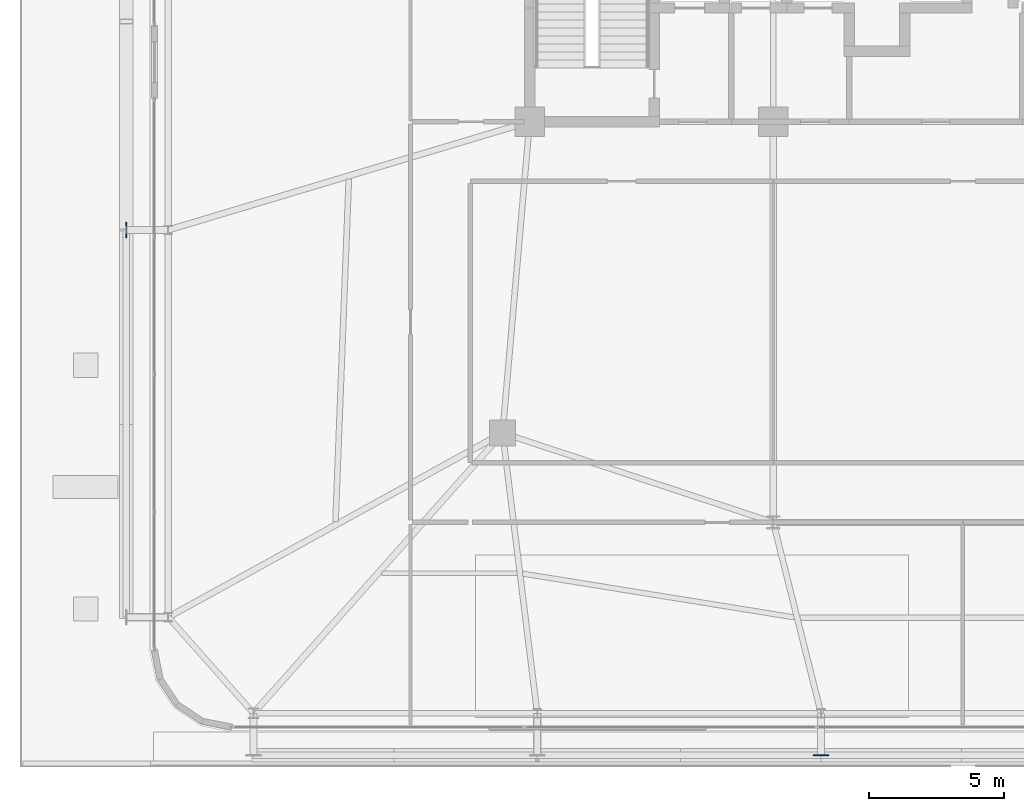
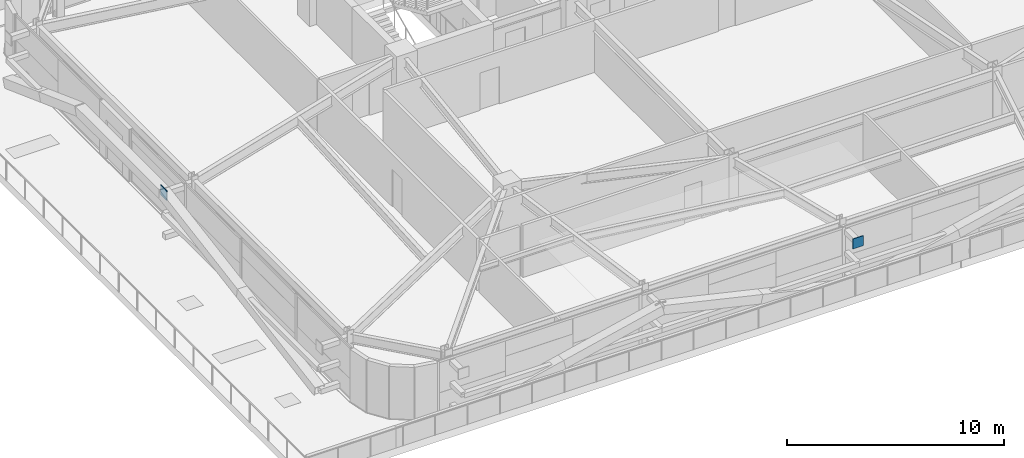
# One storey, part 42 of 56: 2 plates.
"""IFC4 building model written with IfcOpenShell, lengths in metres."""

import ifcopenshell
import ifcopenshell.guid

model = None  # the IFC model being written
_history = None  # IfcOwnerHistory: only IFC2X3 demands one
_inside = {}  # id of a spatial element -> (the spatial element, [elements in it])
_under = {}  # id of a project, library or spatial element -> (it, [spatial elements below it])
_declared = {}  # id of a project -> (the project, [libraries it declares])
_typed = {}  # id of a type object -> (the type object, [elements of that type])
_made_of = {}  # id of a material, layer set ... -> (it, [elements and type objects made of it])


def new_model(schema):
    """Start an empty IFC model of exactly this schema.

    Asked for "IFC4X3", IfcOpenShell would pick the latest addendum, in which some entities
    have other attributes; the version numbers below select the first issue.
    IFC2X3 requires an IfcOwnerHistory on every rooted entity: one is made here for all.
    """
    global model, _history
    if schema == "IFC4X3":
        model = ifcopenshell.file(schema_version=(4, 3, 0, 0))
    else:
        model = ifcopenshell.file(schema=schema)
    _inside.clear()
    _under.clear()
    _declared.clear()
    _typed.clear()
    _made_of.clear()
    _history = None
    if model.schema == "IFC2X3":
        org = make("IfcOrganization", Name="unknown")
        user = make(
            "IfcPersonAndOrganization",
            ThePerson=make("IfcPerson", FamilyName="unknown"),
            TheOrganization=org,
        )
        app = make(
            "IfcApplication",
            ApplicationDeveloper=org,
            Version="unknown",
            ApplicationFullName="unknown",
            ApplicationIdentifier="unknown",
        )
        _history = make(
            "IfcOwnerHistory",
            OwningUser=user,
            OwningApplication=app,
            ChangeAction="ADDED",
            CreationDate=0,
        )
    return model


def make(cls, **values):
    """One entity of the class cls with the attributes given. An attribute that is None is left unset."""
    return model.create_entity(
        cls, **{name: value for name, value in values.items() if value is not None}
    )


def rooted(cls, **values):
    """An entity with a GlobalId (a new one), such as an element, a storey or a relation."""
    return make(cls, GlobalId=ifcopenshell.guid.new(), OwnerHistory=_history, **values)


def si_unit(unit_type, name, prefix=None):
    """IfcSIUnit, for example si_unit("LENGTHUNIT", "METRE", prefix="MILLI")."""
    return make("IfcSIUnit", UnitType=unit_type, Prefix=prefix, Name=name)


def assignment(units):
    """IfcUnitAssignment: the units of a project."""
    return None if units is None else make("IfcUnitAssignment", Units=units)


def point(xyz):
    """IfcCartesianPoint."""
    return None if xyz is None else make("IfcCartesianPoint", Coordinates=xyz)


def direction(xyz):
    """IfcDirection."""
    return None if xyz is None else make("IfcDirection", DirectionRatios=xyz)


def frame(location, z_axis=None, x_axis=None):
    """IfcAxis2Placement3D, a coordinate frame: its origin and axes. An axis left out is left unset."""
    return make(
        "IfcAxis2Placement3D",
        Location=point(location),
        Axis=direction(z_axis),
        RefDirection=direction(x_axis),
    )


def frame_2d(location, x_axis=None):
    """IfcAxis2Placement2D, a coordinate frame in the plane: its origin and x axis."""
    return make(
        "IfcAxis2Placement2D", Location=point(location), RefDirection=direction(x_axis)
    )


def origin():
    """The frame at (0, 0, 0) with its axes left unset."""
    return frame((0.0, 0.0, 0.0))


def origin_2d():
    """The frame at (0, 0) in the plane with its x axis left unset."""
    return frame_2d((0.0, 0.0))


def place(relative_to, where):
    """IfcLocalPlacement: puts the frame where relative to a parent placement (None: the world)."""
    return make(
        "IfcLocalPlacement", PlacementRelTo=relative_to, RelativePlacement=where
    )


def context(
    kind, dimensions, precision=None, world=None, true_north=None, identifier=None
):
    """IfcGeometricRepresentationContext, for example the 3D "Model" context."""
    return make(
        "IfcGeometricRepresentationContext",
        ContextIdentifier=identifier,
        ContextType=kind,
        CoordinateSpaceDimension=dimensions,
        Precision=precision,
        WorldCoordinateSystem=world,
        TrueNorth=true_north,
    )


def subcontext(parent, identifier, kind, view, scale=None):
    """IfcGeometricRepresentationSubContext, for example "Body" below "Model"."""
    return make(
        "IfcGeometricRepresentationSubContext",
        ContextIdentifier=identifier,
        ContextType=kind,
        ParentContext=parent,
        TargetScale=scale,
        TargetView=view,
    )


def project(units=None, contexts=None):
    """IfcProject with its units and contexts."""
    return rooted(
        "IfcProject",
        Name="project",
        RepresentationContexts=contexts,
        UnitsInContext=assignment(units),
    )


def spatial(cls, under=None, at=None, **own):
    """A site, building, storey or space (cls), placed at a placement, below another one or the project."""
    s = rooted(cls, ObjectPlacement=at, **own)
    if under is not None:
        _under.setdefault(under.id(), (under, []))[1].append(s)
    return s


def profile(cls, at=None, kind="AREA", **sizes):
    """A parametric profile (cls). Its sizes go by their IFC names, for example OverallWidth=200.0."""
    return make(cls, ProfileType=kind, Position=at, **sizes)


def rectangle(**sizes):
    """IfcRectangleProfileDef."""
    return profile("IfcRectangleProfileDef", **sizes)


def extrude(swept, where, along, depth):
    """IfcExtrudedAreaSolid: the profile swept, set in the frame where, extruded along a direction by depth."""
    return make(
        "IfcExtrudedAreaSolid",
        SweptArea=swept,
        Position=where,
        ExtrudedDirection=direction(along),
        Depth=depth,
    )


def shape(context_of_items, identifier, shape_type, items):
    """IfcShapeRepresentation: the items that make up one representation, for example the "Body"."""
    return make(
        "IfcShapeRepresentation",
        ContextOfItems=context_of_items,
        RepresentationIdentifier=identifier,
        RepresentationType=shape_type,
        Items=items,
    )


def source(mapping_origin, context_of_items, identifier, shape_type, items):
    """IfcRepresentationMap: a shape defined once, which mapped items show again and again."""
    return make(
        "IfcRepresentationMap",
        MappingOrigin=mapping_origin,
        MappedRepresentation=shape(context_of_items, identifier, shape_type, items),
    )


def transform(
    local_origin,
    x_axis=None,
    y_axis=None,
    z_axis=None,
    scale=None,
    scale2=None,
    scale3=None,
    uniform=True,
):
    """IfcCartesianTransformationOperator3D, or its non-uniform kind. x_axis, y_axis, z_axis: its Axis1, 2, 3."""
    if uniform:
        return make(
            "IfcCartesianTransformationOperator3D",
            Axis1=direction(x_axis),
            Axis2=direction(y_axis),
            LocalOrigin=point(local_origin),
            Scale=scale,
            Axis3=direction(z_axis),
        )
    return make(
        "IfcCartesianTransformationOperator3DnonUniform",
        Axis1=direction(x_axis),
        Axis2=direction(y_axis),
        LocalOrigin=point(local_origin),
        Scale=scale,
        Axis3=direction(z_axis),
        Scale2=scale2,
        Scale3=scale3,
    )


def mapped(mapping_source, mapping_target):
    """IfcMappedItem: shows the shape of a source again, moved by a transform."""
    return make(
        "IfcMappedItem", MappingSource=mapping_source, MappingTarget=mapping_target
    )


def material(Name=None, Category=None):
    """IfcMaterial."""
    return make("IfcMaterial", Name=Name, Category=Category)


def layer(
    of_material, thickness, ventilated=None, Name=None, Category=None, Priority=None
):
    """IfcMaterialLayer: one layer of a wall or slab, of a material (None: an air gap)."""
    return make(
        "IfcMaterialLayer",
        Material=of_material,
        LayerThickness=thickness,
        IsVentilated=ventilated,
        Name=Name,
        Category=Category,
        Priority=Priority,
    )


def layer_set(layers, Name=None):
    """IfcMaterialLayerSet."""
    return make("IfcMaterialLayerSet", MaterialLayers=layers, LayerSetName=Name)


def made_of(thing, what):
    """Note that an element or type object is made of a material, layer set ...; save() writes the relation."""
    if what is not None:
        _made_of.setdefault(what.id(), (what, []))[1].append(thing)
    return thing


def type_object(cls, material=None, **own):
    """A type object (cls), such as IfcWallType, which elements share."""
    return made_of(rooted(cls, **own), material)


def element(
    cls,
    number,
    at=None,
    inside=None,
    cuts=None,
    type_object=None,
    material=None,
    context=None,
    identifier="Body",
    shape_type=None,
    held_by="IfcProductDefinitionShape",
    body=None,
    shapes=None,
    **own,
):
    """One element of the class cls, such as IfcWall. Its Tag is "e" and its number.

    at: its placement. inside: the storey or other place that contains it. cuts: it is an
    opening in that element (IfcRelVoidsElement). A single representation is given by context,
    identifier, shape_type and body (its items); several are given by shapes. held_by: the class
    of the entity that holds the representations. save() writes the other relations.
    """
    e = rooted(cls, Tag="e%d" % number, ObjectPlacement=at, **own)
    if body is not None:
        shapes = [shape(context, identifier, shape_type, body)]
    if shapes is not None:
        e.Representation = make(held_by, Representations=shapes)
    if inside is not None:
        _inside.setdefault(inside.id(), (inside, []))[1].append(e)
    if cuts is not None:
        rooted(
            "IfcRelVoidsElement", RelatingBuildingElement=cuts, RelatedOpeningElement=e
        )
    if type_object is not None:
        _typed.setdefault(type_object.id(), (type_object, []))[1].append(e)
    return made_of(e, material)


def aggregate(whole, parts):
    """IfcRelAggregates: a whole, such as a stair, and the parts it consists of."""
    return rooted("IfcRelAggregates", RelatingObject=whole, RelatedObjects=parts)


def save(model, path):
    """Write the relations noted so far, then the file.

    IfcRelAggregates (storeys below a building ...), IfcRelContainedInSpatialStructure (elements
    in a storey), IfcRelDefinesByType, IfcRelAssociatesMaterial and IfcRelDeclares: one each for
    every whole, place, type object, material and project.
    """
    for whole, parts in _under.values():
        aggregate(whole, parts)
    for where, things in _inside.values():
        rooted(
            "IfcRelContainedInSpatialStructure",
            RelatedElements=things,
            RelatingStructure=where,
        )
    for kind, things in _typed.values():
        rooted("IfcRelDefinesByType", RelatedObjects=things, RelatingType=kind)
    for what, things in _made_of.values():
        rooted("IfcRelAssociatesMaterial", RelatedObjects=things, RelatingMaterial=what)
    for by, libraries in _declared.values():
        rooted("IfcRelDeclares", RelatingContext=by, RelatedDefinitions=libraries)
    model.write(path)


model = new_model("IFC4")

# Units and contexts
model_context = context("Model", 3, precision=1e-05, world=origin(), true_north=direction((0.0, 1.0)))
body_context = subcontext(model_context, "Body", "Model", "MODEL_VIEW")
ifc_project = project(units=[si_unit("LENGTHUNIT", "METRE"), si_unit("AREAUNIT", "SQUARE_METRE"), si_unit("VOLUMEUNIT", "CUBIC_METRE"), si_unit("PLANEANGLEUNIT", "RADIAN"), si_unit("MASSUNIT", "GRAM", prefix="KILO")], contexts=[model_context])

# Site, building, storey
site_placement = place(None, origin())
site = spatial("IfcSite", under=ifc_project, at=site_placement, CompositionType="ELEMENT")
building_placement = place(site_placement, origin())
building = spatial("IfcBuilding", under=site, at=building_placement, Name="Taldren Reach Tower", CompositionType="ELEMENT")
storey_placement = place(building_placement, frame((0.0, 0.0, 16.800048828125)))
storey = spatial("IfcBuildingStorey", under=building, at=storey_placement, Name="L04", CompositionType="ELEMENT", Elevation=16.800048828125)

# Plates
ifc_material = material(Name="Steel Gr 450 (C450L0)", Category="steel")
ifc_layer = layer(ifc_material, 0.0400390625)
ifc_layer_set = layer_set([ifc_layer], Name="Steel Gr 450 (C450L0)")
plate_type = type_object("IfcPlateType", Name="PL-GUSSET-40", PredefinedType="SHEET", material=ifc_layer_set)
shared_shape = source(origin(), body_context, "Body", "SweptSolid", [
    extrude(rectangle(XDim=0.56005859375, YDim=0.0400390625, at=origin_2d()), origin(), (0.0, 0.0, 1.0), 0.56005859375),
])
for number, where, z_axis, x_axis, name in (
    (1, (29.760009765625, 0.60009765625, 2.369873046875), (0.0, 0.0, 1.0), (1.0, 0.0, 0.0), "Exoskeleton star-node gusset plate B1-S3 L04"),
    (2, (4.10009765625, 20.0, 2.369873046875), (0.0, 0.0, 1.0), (0.0, 1.0, 0.0), "Exoskeleton star-node gusset plate B1-W2 L04"),
):
    element("IfcPlate", number, at=place(storey_placement, frame(where, z_axis=z_axis, x_axis=x_axis)), inside=storey, type_object=plate_type, Name=name, PredefinedType="SHEET", context=body_context, shape_type="MappedRepresentation", body=[
        mapped(shared_shape, transform((0.0, 0.0, 0.0), scale=1.0)),
    ])

save(model, "model.ifc")
